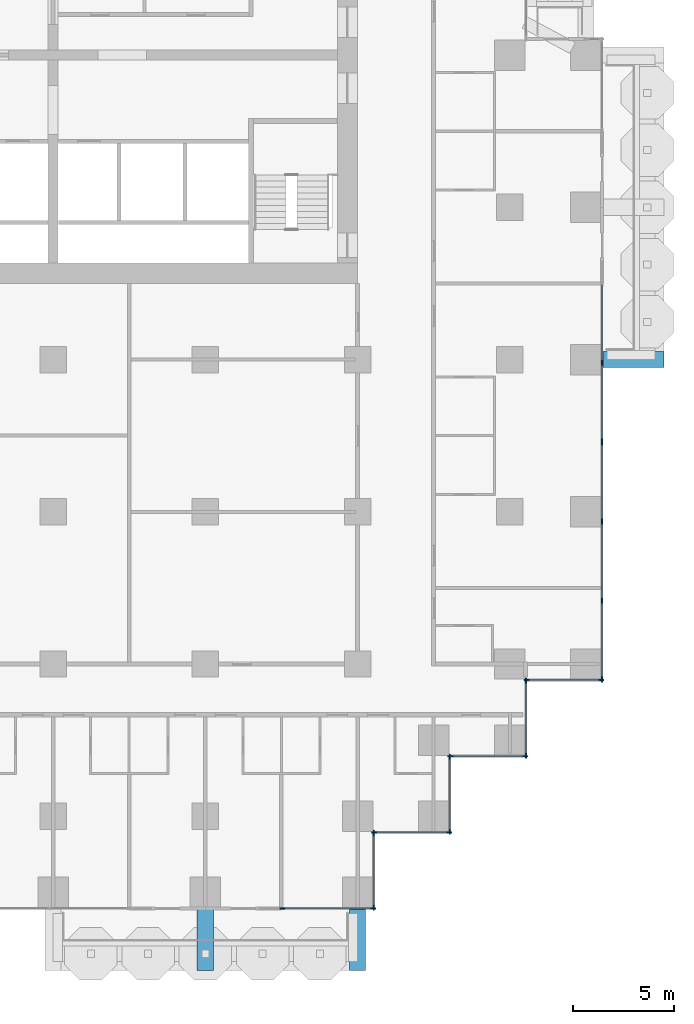
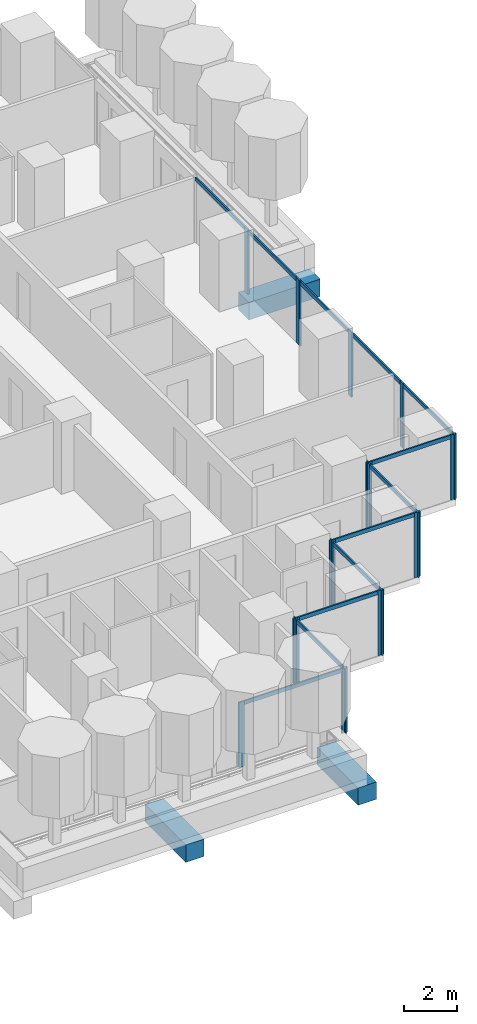
# One storey, part 4 of 19: 32 members, 3 beams, 9 elements without a shape of their own.
"""IFC4 building model written with IfcOpenShell, lengths in metres."""

from ifc_helpers import new_model, si_unit, direction, frame, origin, origin_2d, place, context, subcontext, project, spatial, rectangle, extrude, material, material_profile, profile_set, type_object, element, aggregate, save


model = new_model("IFC4")

# Units and contexts
model_context = context("Model", 3, precision=1e-05, world=origin(), true_north=direction((0.0, 1.0)))
body_context = subcontext(model_context, "Body", "Model", "MODEL_VIEW")
ifc_project = project(units=[si_unit("LENGTHUNIT", "METRE"), si_unit("AREAUNIT", "SQUARE_METRE"), si_unit("VOLUMEUNIT", "CUBIC_METRE"), si_unit("PLANEANGLEUNIT", "RADIAN"), si_unit("MASSUNIT", "GRAM", prefix="KILO")], contexts=[model_context])

# Site, building, storey
site_placement = place(None, origin())
site = spatial("IfcSite", under=ifc_project, at=site_placement, CompositionType="ELEMENT")
building_placement = place(site_placement, origin())
building = spatial("IfcBuilding", under=site, at=building_placement, Name="Pilkhan Gate Tower", CompositionType="ELEMENT")
storey_placement = place(building_placement, frame((0.0, 0.0, 72.5)))
storey = spatial("IfcBuildingStorey", under=building, at=storey_placement, Name="L16", CompositionType="ELEMENT", Elevation=72.5)

# Beams
ifc_material_1 = material(Name="Concrete C50/60", Category="concrete")
ifc_material_profile_1 = material_profile(ifc_material_1, rectangle(XDim=0.800048828125, YDim=0.800048828125, at=origin_2d()), Name="RC 800x800")
ifc_profile_set_1 = profile_set([ifc_material_profile_1], Name="Concrete C50/60")
beam_type = type_object("IfcBeamType", Name="Cantilever beam CB2 RC 800x800 C50/60", PredefinedType="BEAM", material=ifc_profile_set_1)
for number, where, z_axis, x_axis, name in (
    (1, (82.5, 40.5, -0.699951171875), (0.0, -1.0, 0.0), (1.0, 0.0, 0.0), "Balcony beam S.2 L16"),
    (2, (90.0, 40.5, -0.699951171875), (0.0, -1.0, 0.0), (1.0, 0.0, 0.0), "Balcony beam S.3 L16"),
    (3, (102.0, 67.5, -0.699951171875), (1.0, 0.0, 0.0), (0.0, 1.0, 0.0), "Balcony beam E.1 L16"),
):
    element("IfcBeam", number, at=place(storey_placement, frame(where, z_axis=z_axis, x_axis=x_axis)), inside=storey, type_object=beam_type, Name=name, PredefinedType="BEAM", context=body_context, shape_type="SweptSolid", body=[
        extrude(rectangle(XDim=0.800048828125, YDim=0.800048828125, at=origin_2d()), origin(), (0.0, 0.0, 1.0), 3.10009765625),
    ])

# Curtain wall, members
ifc_material_2 = material(Name="Pale anodised aluminium, clear low-iron double glazing", Category="aluminium")
curtain_wall_type = type_object("IfcCurtainWallType", Name="Hotel unitised curtain wall CW-H", PredefinedType="USERDEFINED", material=ifc_material_2)
curtain_wall_1_placement = place(storey_placement, origin())
curtain_wall_1 = element("IfcCurtainWall", 4, at=curtain_wall_1_placement, inside=storey, type_object=curtain_wall_type, Name="Hotel unitised curtain wall CW-H L16 E", ObjectType="UNITISED CURTAIN WALL", PredefinedType="USERDEFINED")
ifc_material_3 = material(Name="Pale anodised aluminium", Category="aluminium")
ifc_material_profile_2 = material_profile(ifc_material_3, rectangle(XDim=0.06494140625, YDim=0.25, at=origin_2d()), Name="Mullion 250x65")
ifc_profile_set_2 = profile_set([ifc_material_profile_2], Name="Pale anodised aluminium")
member_type_1 = type_object("IfcMemberType", Name="Mullion CW-H 250x65", PredefinedType="MULLION", material=ifc_profile_set_2)
member_1_placement = place(storey_placement, frame((102.044921875, 51.737548828125, 0.0), z_axis=(0.0, 0.0, 1.0), x_axis=(-1.0, 0.0, 0.0)))
member_1 = element("IfcMember", 5, at=member_1_placement, type_object=member_type_1, Name="CW-H mullion 1", PredefinedType="MULLION", context=body_context, shape_type="SweptSolid", body=[
    extrude(rectangle(XDim=0.06494140625, YDim=0.25, at=origin_2d()), origin(), (0.0, 0.0, 1.0), 3.0),
])
member_2_placement = place(storey_placement, frame((102.044921875, 55.614013671875, 0.0), z_axis=(0.0, 0.0, 1.0), x_axis=(-1.0, 0.0, 0.0)))
member_2 = element("IfcMember", 6, at=member_2_placement, type_object=member_type_1, Name="CW-H mullion 2", PredefinedType="MULLION", context=body_context, shape_type="SweptSolid", body=[
    extrude(rectangle(XDim=0.06494140625, YDim=0.25, at=origin_2d()), origin(), (0.0, 0.0, 1.0), 3.0),
])
member_3_placement = place(storey_placement, frame((102.044921875, 59.52294921875, 0.0), z_axis=(0.0, 0.0, 1.0), x_axis=(-1.0, 0.0, 0.0)))
member_3 = element("IfcMember", 7, at=member_3_placement, type_object=member_type_1, Name="CW-H mullion 3", PredefinedType="MULLION", context=body_context, shape_type="SweptSolid", body=[
    extrude(rectangle(XDim=0.06494140625, YDim=0.25, at=origin_2d()), origin(), (0.0, 0.0, 1.0), 3.0),
])
member_4_placement = place(storey_placement, frame((102.044921875, 63.3994140625, 0.0), z_axis=(0.0, 0.0, 1.0), x_axis=(-1.0, 0.0, 0.0)))
member_4 = element("IfcMember", 8, at=member_4_placement, type_object=member_type_1, Name="CW-H mullion 4", PredefinedType="MULLION", context=body_context, shape_type="SweptSolid", body=[
    extrude(rectangle(XDim=0.06494140625, YDim=0.25, at=origin_2d()), origin(), (0.0, 0.0, 1.0), 3.0),
])

curtain_wall_2_placement = place(storey_placement, origin())
curtain_wall_2 = element("IfcCurtainWall", 9, at=curtain_wall_2_placement, inside=storey, type_object=curtain_wall_type, Name="Hotel unitised curtain wall CW-H L16 E", ObjectType="UNITISED CURTAIN WALL", PredefinedType="USERDEFINED")
member_5_placement = place(storey_placement, frame((102.044921875, 63.464599609375, 0.0), z_axis=(0.0, 0.0, 1.0), x_axis=(-1.0, 0.0, 0.0)))
member_5 = element("IfcMember", 10, at=member_5_placement, type_object=member_type_1, Name="CW-H mullion 1", PredefinedType="MULLION", context=body_context, shape_type="SweptSolid", body=[
    extrude(rectangle(XDim=0.06494140625, YDim=0.25, at=origin_2d()), origin(), (0.0, 0.0, 1.0), 3.0),
])
member_6_placement = place(storey_placement, frame((102.044921875, 67.341064453125, 0.0), z_axis=(0.0, 0.0, 1.0), x_axis=(-1.0, 0.0, 0.0)))
member_6 = element("IfcMember", 11, at=member_6_placement, type_object=member_type_1, Name="CW-H mullion 2", PredefinedType="MULLION", context=body_context, shape_type="SweptSolid", body=[
    extrude(rectangle(XDim=0.06494140625, YDim=0.25, at=origin_2d()), origin(), (0.0, 0.0, 1.0), 3.0),
])

curtain_wall_3_placement = place(storey_placement, origin())
curtain_wall_3 = element("IfcCurtainWall", 12, at=curtain_wall_3_placement, inside=storey, type_object=curtain_wall_type, Name="Hotel unitised curtain wall CW-H L16 S", ObjectType="UNITISED CURTAIN WALL", PredefinedType="USERDEFINED")
member_7_placement = place(storey_placement, frame((86.282470703125, 40.455078125, 0.0), z_axis=(0.0, 0.0, 1.0), x_axis=(0.0, 1.0, 0.0)))
member_7 = element("IfcMember", 13, at=member_7_placement, type_object=member_type_1, Name="CW-H mullion 1", PredefinedType="MULLION", context=body_context, shape_type="SweptSolid", body=[
    extrude(rectangle(XDim=0.06494140625, YDim=0.25, at=origin_2d()), origin(), (0.0, 0.0, 1.0), 3.0),
])
member_8_placement = place(storey_placement, frame((90.762451171875, 40.455078125, 0.0), z_axis=(0.0, 0.0, 1.0), x_axis=(0.0, 1.0, 0.0)))
member_8 = element("IfcMember", 14, at=member_8_placement, type_object=member_type_1, Name="CW-H mullion 2", PredefinedType="MULLION", context=body_context, shape_type="SweptSolid", body=[
    extrude(rectangle(XDim=0.06494140625, YDim=0.25, at=origin_2d()), origin(), (0.0, 0.0, 1.0), 3.0),
])

curtain_wall_4_placement = place(storey_placement, origin())
curtain_wall_4 = element("IfcCurtainWall", 15, at=curtain_wall_4_placement, inside=storey, type_object=curtain_wall_type, Name="Hotel unitised curtain wall CW-H L16 E", ObjectType="UNITISED CURTAIN WALL", PredefinedType="USERDEFINED")
member_9_placement = place(storey_placement, frame((90.794921875, 40.487548828125, 0.0), z_axis=(0.0, 0.0, 1.0), x_axis=(-1.0, 0.0, 0.0)))
member_9 = element("IfcMember", 16, at=member_9_placement, type_object=member_type_1, Name="CW-H mullion 1", PredefinedType="MULLION", context=body_context, shape_type="SweptSolid", body=[
    extrude(rectangle(XDim=0.06494140625, YDim=0.25, at=origin_2d()), origin(), (0.0, 0.0, 1.0), 3.0),
])
member_10_placement = place(storey_placement, frame((90.794921875, 44.172607421875, 0.0), z_axis=(0.0, 0.0, 1.0), x_axis=(-1.0, 0.0, 0.0)))
member_10 = element("IfcMember", 17, at=member_10_placement, type_object=member_type_1, Name="CW-H mullion 2", PredefinedType="MULLION", context=body_context, shape_type="SweptSolid", body=[
    extrude(rectangle(XDim=0.06494140625, YDim=0.25, at=origin_2d()), origin(), (0.0, 0.0, 1.0), 3.0),
])

curtain_wall_5_placement = place(storey_placement, origin())
curtain_wall_5 = element("IfcCurtainWall", 18, at=curtain_wall_5_placement, inside=storey, type_object=curtain_wall_type, Name="Hotel unitised curtain wall CW-H L16 S", ObjectType="UNITISED CURTAIN WALL", PredefinedType="USERDEFINED")
member_11_placement = place(storey_placement, frame((90.827392578125, 44.205078125, 0.0), z_axis=(0.0, 0.0, 1.0), x_axis=(0.0, 1.0, 0.0)))
member_11 = element("IfcMember", 19, at=member_11_placement, type_object=member_type_1, Name="CW-H mullion 1", PredefinedType="MULLION", context=body_context, shape_type="SweptSolid", body=[
    extrude(rectangle(XDim=0.06494140625, YDim=0.25, at=origin_2d()), origin(), (0.0, 0.0, 1.0), 3.0),
])
member_12_placement = place(storey_placement, frame((94.512451171875, 44.205078125, 0.0), z_axis=(0.0, 0.0, 1.0), x_axis=(0.0, 1.0, 0.0)))
member_12 = element("IfcMember", 20, at=member_12_placement, type_object=member_type_1, Name="CW-H mullion 2", PredefinedType="MULLION", context=body_context, shape_type="SweptSolid", body=[
    extrude(rectangle(XDim=0.06494140625, YDim=0.25, at=origin_2d()), origin(), (0.0, 0.0, 1.0), 3.0),
])

curtain_wall_6_placement = place(storey_placement, origin())
curtain_wall_6 = element("IfcCurtainWall", 21, at=curtain_wall_6_placement, inside=storey, type_object=curtain_wall_type, Name="Hotel unitised curtain wall CW-H L16 E", ObjectType="UNITISED CURTAIN WALL", PredefinedType="USERDEFINED")
member_13_placement = place(storey_placement, frame((94.544921875, 44.237548828125, 0.0), z_axis=(0.0, 0.0, 1.0), x_axis=(-1.0, 0.0, 0.0)))
member_13 = element("IfcMember", 22, at=member_13_placement, type_object=member_type_1, Name="CW-H mullion 1", PredefinedType="MULLION", context=body_context, shape_type="SweptSolid", body=[
    extrude(rectangle(XDim=0.06494140625, YDim=0.25, at=origin_2d()), origin(), (0.0, 0.0, 1.0), 3.0),
])
member_14_placement = place(storey_placement, frame((94.544921875, 47.922607421875, 0.0), z_axis=(0.0, 0.0, 1.0), x_axis=(-1.0, 0.0, 0.0)))
member_14 = element("IfcMember", 23, at=member_14_placement, type_object=member_type_1, Name="CW-H mullion 2", PredefinedType="MULLION", context=body_context, shape_type="SweptSolid", body=[
    extrude(rectangle(XDim=0.06494140625, YDim=0.25, at=origin_2d()), origin(), (0.0, 0.0, 1.0), 3.0),
])

curtain_wall_7_placement = place(storey_placement, origin())
curtain_wall_7 = element("IfcCurtainWall", 24, at=curtain_wall_7_placement, inside=storey, type_object=curtain_wall_type, Name="Hotel unitised curtain wall CW-H L16 S", ObjectType="UNITISED CURTAIN WALL", PredefinedType="USERDEFINED")
member_15_placement = place(storey_placement, frame((94.577392578125, 47.955078125, 0.0), z_axis=(0.0, 0.0, 1.0), x_axis=(0.0, 1.0, 0.0)))
member_15 = element("IfcMember", 25, at=member_15_placement, type_object=member_type_1, Name="CW-H mullion 1", PredefinedType="MULLION", context=body_context, shape_type="SweptSolid", body=[
    extrude(rectangle(XDim=0.06494140625, YDim=0.25, at=origin_2d()), origin(), (0.0, 0.0, 1.0), 3.0),
])
member_16_placement = place(storey_placement, frame((98.262451171875, 47.955078125, 0.0), z_axis=(0.0, 0.0, 1.0), x_axis=(0.0, 1.0, 0.0)))
member_16 = element("IfcMember", 26, at=member_16_placement, type_object=member_type_1, Name="CW-H mullion 2", PredefinedType="MULLION", context=body_context, shape_type="SweptSolid", body=[
    extrude(rectangle(XDim=0.06494140625, YDim=0.25, at=origin_2d()), origin(), (0.0, 0.0, 1.0), 3.0),
])

curtain_wall_8_placement = place(storey_placement, origin())
curtain_wall_8 = element("IfcCurtainWall", 27, at=curtain_wall_8_placement, inside=storey, type_object=curtain_wall_type, Name="Hotel unitised curtain wall CW-H L16 E", ObjectType="UNITISED CURTAIN WALL", PredefinedType="USERDEFINED")
member_17_placement = place(storey_placement, frame((98.294921875, 47.987548828125, 0.0), z_axis=(0.0, 0.0, 1.0), x_axis=(-1.0, 0.0, 0.0)))
member_17 = element("IfcMember", 28, at=member_17_placement, type_object=member_type_1, Name="CW-H mullion 1", PredefinedType="MULLION", context=body_context, shape_type="SweptSolid", body=[
    extrude(rectangle(XDim=0.06494140625, YDim=0.25, at=origin_2d()), origin(), (0.0, 0.0, 1.0), 3.0),
])
member_18_placement = place(storey_placement, frame((98.294921875, 51.672607421875, 0.0), z_axis=(0.0, 0.0, 1.0), x_axis=(-1.0, 0.0, 0.0)))
member_18 = element("IfcMember", 29, at=member_18_placement, type_object=member_type_1, Name="CW-H mullion 2", PredefinedType="MULLION", context=body_context, shape_type="SweptSolid", body=[
    extrude(rectangle(XDim=0.06494140625, YDim=0.25, at=origin_2d()), origin(), (0.0, 0.0, 1.0), 3.0),
])

curtain_wall_9_placement = place(storey_placement, origin())
curtain_wall_9 = element("IfcCurtainWall", 30, at=curtain_wall_9_placement, inside=storey, type_object=curtain_wall_type, Name="Hotel unitised curtain wall CW-H L16 S", ObjectType="UNITISED CURTAIN WALL", PredefinedType="USERDEFINED")
member_19_placement = place(storey_placement, frame((98.327392578125, 51.705078125, 0.0), z_axis=(0.0, 0.0, 1.0), x_axis=(0.0, 1.0, 0.0)))
member_19 = element("IfcMember", 31, at=member_19_placement, type_object=member_type_1, Name="CW-H mullion 1", PredefinedType="MULLION", context=body_context, shape_type="SweptSolid", body=[
    extrude(rectangle(XDim=0.06494140625, YDim=0.25, at=origin_2d()), origin(), (0.0, 0.0, 1.0), 3.0),
])
member_20_placement = place(storey_placement, frame((102.012451171875, 51.705078125, 0.0), z_axis=(0.0, 0.0, 1.0), x_axis=(0.0, 1.0, 0.0)))
member_20 = element("IfcMember", 32, at=member_20_placement, type_object=member_type_1, Name="CW-H mullion 2", PredefinedType="MULLION", context=body_context, shape_type="SweptSolid", body=[
    extrude(rectangle(XDim=0.06494140625, YDim=0.25, at=origin_2d()), origin(), (0.0, 0.0, 1.0), 3.0),
])

# Member
ifc_material_profile_3 = material_profile(ifc_material_3, rectangle(XDim=0.06494140625, YDim=0.179931640625, at=origin_2d()), Name="Transom 180x65")
ifc_profile_set_3 = profile_set([ifc_material_profile_3], Name="Pale anodised aluminium")
member_type_2 = type_object("IfcMemberType", Name="Transom CW-H 180x65", PredefinedType="USERDEFINED", material=ifc_profile_set_3)
member_21_placement = place(storey_placement, frame((102.044921875, 51.77001953125, 2.909912109375), z_axis=(0.0, 1.0, 0.0), x_axis=(-1.0, 0.0, 0.0)))
member_21 = element("IfcMember", 33, at=member_21_placement, type_object=member_type_2, Name="CW-H transom 1", ObjectType="TRANSOM", PredefinedType="USERDEFINED", context=body_context, shape_type="SweptSolid", body=[
    extrude(rectangle(XDim=0.06494140625, YDim=0.179931640625, at=origin_2d()), origin(), (0.0, 0.0, 1.0), 3.8115234375),
])

member_22_placement = place(storey_placement, frame((102.044921875, 55.646484375, 2.909912109375), z_axis=(0.0, 1.0, 0.0), x_axis=(-1.0, 0.0, 0.0)))
member_22 = element("IfcMember", 34, at=member_22_placement, type_object=member_type_2, Name="CW-H transom 2", ObjectType="TRANSOM", PredefinedType="USERDEFINED", context=body_context, shape_type="SweptSolid", body=[
    extrude(rectangle(XDim=0.06494140625, YDim=0.179931640625, at=origin_2d()), origin(), (0.0, 0.0, 1.0), 3.843994140625),
])

member_23_placement = place(storey_placement, frame((102.044921875, 59.555419921875, 2.909912109375), z_axis=(0.0, 1.0, 0.0), x_axis=(-1.0, 0.0, 0.0)))
member_23 = element("IfcMember", 35, at=member_23_placement, type_object=member_type_2, Name="CW-H transom 3", ObjectType="TRANSOM", PredefinedType="USERDEFINED", context=body_context, shape_type="SweptSolid", body=[
    extrude(rectangle(XDim=0.06494140625, YDim=0.179931640625, at=origin_2d()), origin(), (0.0, 0.0, 1.0), 3.8115234375),
])

aggregate(curtain_wall_1, [member_1, member_2, member_3, member_4, member_21, member_22, member_23])

member_24_placement = place(storey_placement, frame((102.044921875, 63.4970703125, 2.909912109375), z_axis=(0.0, 1.0, 0.0), x_axis=(-1.0, 0.0, 0.0)))
member_24 = element("IfcMember", 36, at=member_24_placement, type_object=member_type_2, Name="CW-H transom 1", ObjectType="TRANSOM", PredefinedType="USERDEFINED", context=body_context, shape_type="SweptSolid", body=[
    extrude(rectangle(XDim=0.06494140625, YDim=0.179931640625, at=origin_2d()), origin(), (0.0, 0.0, 1.0), 3.8115234375),
])

member_25_placement = place(storey_placement, frame((102.044921875, 67.37353515625, 2.909912109375), z_axis=(0.0, 1.0, 0.0), x_axis=(-1.0, 0.0, 0.0)))
member_25 = element("IfcMember", 37, at=member_25_placement, type_object=member_type_2, Name="CW-H transom 2", ObjectType="TRANSOM", PredefinedType="USERDEFINED", context=body_context, shape_type="SweptSolid", body=[
    extrude(rectangle(XDim=0.06494140625, YDim=0.179931640625, at=origin_2d()), origin(), (0.0, 0.0, 1.0), 3.8115234375),
])

aggregate(curtain_wall_2, [member_5, member_6, member_24, member_25])

member_26_placement = place(storey_placement, frame((86.31494140625, 40.455078125, 2.909912109375), z_axis=(1.0, 0.0, 0.0), x_axis=(0.0, 1.0, 0.0)))
member_26 = element("IfcMember", 38, at=member_26_placement, type_object=member_type_2, Name="CW-H transom 1", ObjectType="TRANSOM", PredefinedType="USERDEFINED", context=body_context, shape_type="SweptSolid", body=[
    extrude(rectangle(XDim=0.06494140625, YDim=0.179931640625, at=origin_2d()), origin(), (0.0, 0.0, 1.0), 4.4150390625),
])

aggregate(curtain_wall_3, [member_7, member_8, member_26])

member_27_placement = place(storey_placement, frame((90.794921875, 40.52001953125, 2.909912109375), z_axis=(0.0, 1.0, 0.0), x_axis=(-1.0, 0.0, 0.0)))
member_27 = element("IfcMember", 39, at=member_27_placement, type_object=member_type_2, Name="CW-H transom 1", ObjectType="TRANSOM", PredefinedType="USERDEFINED", context=body_context, shape_type="SweptSolid", body=[
    extrude(rectangle(XDim=0.06494140625, YDim=0.179931640625, at=origin_2d()), origin(), (0.0, 0.0, 1.0), 3.619873046875),
])

aggregate(curtain_wall_4, [member_9, member_10, member_27])

member_28_placement = place(storey_placement, frame((90.860107421875, 44.205078125, 2.909912109375), z_axis=(1.0, 0.0, 0.0), x_axis=(0.0, 1.0, 0.0)))
member_28 = element("IfcMember", 40, at=member_28_placement, type_object=member_type_2, Name="CW-H transom 1", ObjectType="TRANSOM", PredefinedType="USERDEFINED", context=body_context, shape_type="SweptSolid", body=[
    extrude(rectangle(XDim=0.06494140625, YDim=0.179931640625, at=origin_2d()), origin(), (0.0, 0.0, 1.0), 3.619873046875),
])

aggregate(curtain_wall_5, [member_11, member_12, member_28])

member_29_placement = place(storey_placement, frame((94.544921875, 44.27001953125, 2.909912109375), z_axis=(0.0, 1.0, 0.0), x_axis=(-1.0, 0.0, 0.0)))
member_29 = element("IfcMember", 41, at=member_29_placement, type_object=member_type_2, Name="CW-H transom 1", ObjectType="TRANSOM", PredefinedType="USERDEFINED", context=body_context, shape_type="SweptSolid", body=[
    extrude(rectangle(XDim=0.06494140625, YDim=0.179931640625, at=origin_2d()), origin(), (0.0, 0.0, 1.0), 3.619873046875),
])

aggregate(curtain_wall_6, [member_13, member_14, member_29])

member_30_placement = place(storey_placement, frame((94.610107421875, 47.955078125, 2.909912109375), z_axis=(1.0, 0.0, 0.0), x_axis=(0.0, 1.0, 0.0)))
member_30 = element("IfcMember", 42, at=member_30_placement, type_object=member_type_2, Name="CW-H transom 1", ObjectType="TRANSOM", PredefinedType="USERDEFINED", context=body_context, shape_type="SweptSolid", body=[
    extrude(rectangle(XDim=0.06494140625, YDim=0.179931640625, at=origin_2d()), origin(), (0.0, 0.0, 1.0), 3.619873046875),
])

aggregate(curtain_wall_7, [member_15, member_16, member_30])

member_31_placement = place(storey_placement, frame((98.294921875, 48.02001953125, 2.909912109375), z_axis=(0.0, 1.0, 0.0), x_axis=(-1.0, 0.0, 0.0)))
member_31 = element("IfcMember", 43, at=member_31_placement, type_object=member_type_2, Name="CW-H transom 1", ObjectType="TRANSOM", PredefinedType="USERDEFINED", context=body_context, shape_type="SweptSolid", body=[
    extrude(rectangle(XDim=0.06494140625, YDim=0.179931640625, at=origin_2d()), origin(), (0.0, 0.0, 1.0), 3.619873046875),
])

aggregate(curtain_wall_8, [member_17, member_18, member_31])

member_32_placement = place(storey_placement, frame((98.360107421875, 51.705078125, 2.909912109375), z_axis=(1.0, 0.0, 0.0), x_axis=(0.0, 1.0, 0.0)))
member_32 = element("IfcMember", 44, at=member_32_placement, type_object=member_type_2, Name="CW-H transom 1", ObjectType="TRANSOM", PredefinedType="USERDEFINED", context=body_context, shape_type="SweptSolid", body=[
    extrude(rectangle(XDim=0.06494140625, YDim=0.179931640625, at=origin_2d()), origin(), (0.0, 0.0, 1.0), 3.619873046875),
])

aggregate(curtain_wall_9, [member_19, member_20, member_32])

save(model, "model.ifc")
